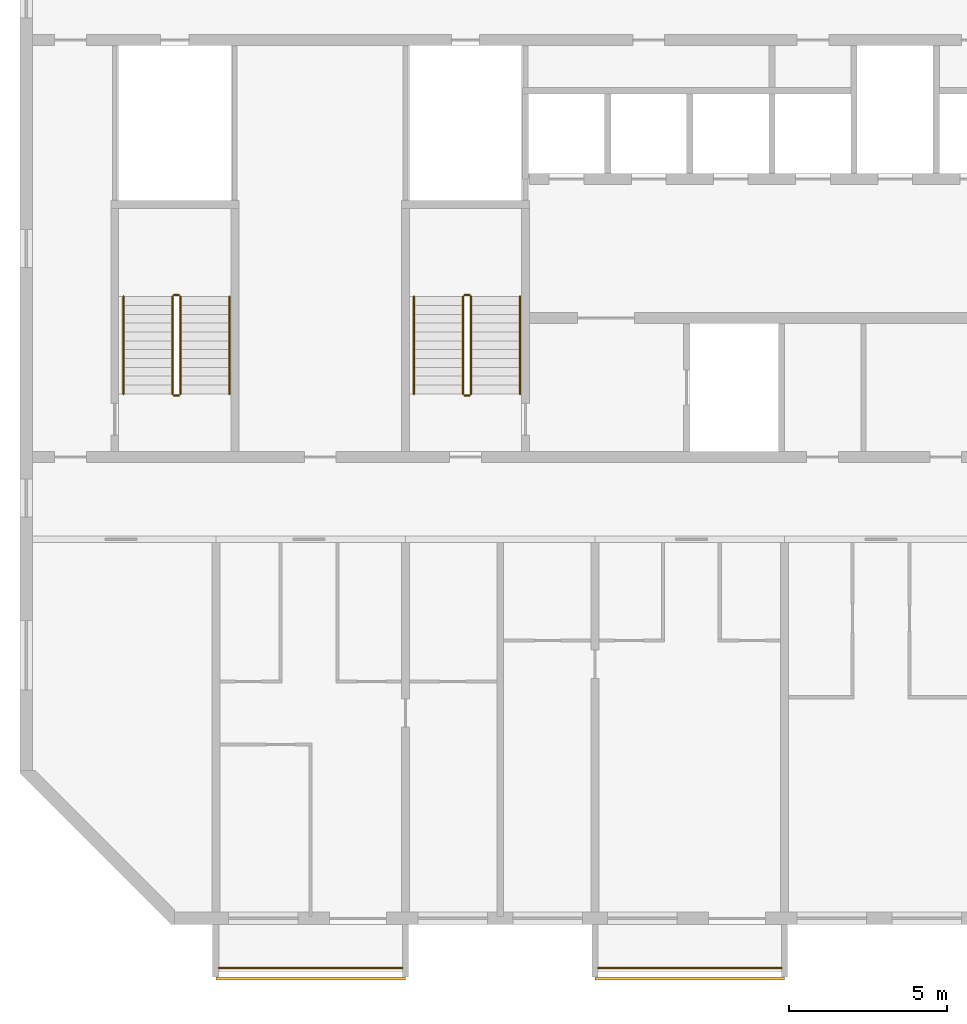
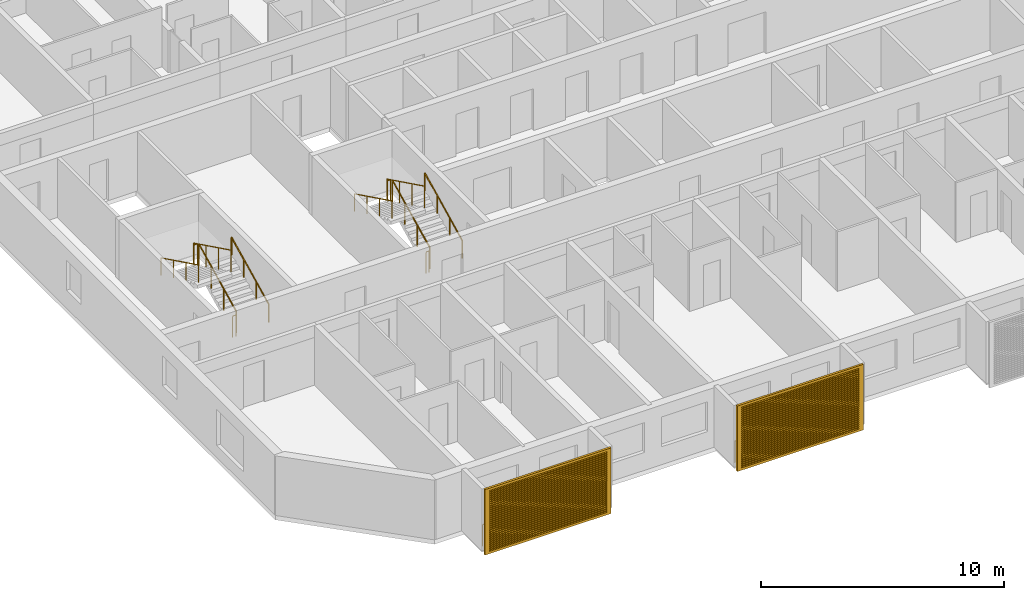
# One storey, part 15 of 20: 14 railings, 2 shading devices.
"""IFC4 building model written with IfcOpenShell, lengths in metres."""

from ifc_helpers import new_model, si_unit, direction, frame, origin, origin_2d, place, context, subcontext, project, spatial, polyline, circle, outline, extrude, source, transform, mapped, material, material_profile, profile_set, type_object, element, save


model = new_model("IFC4")

# Units and contexts
model_context = context("Model", 3, precision=1e-05, world=origin(), true_north=direction((0.0, 1.0)))
body_context = subcontext(model_context, "Body", "Model", "MODEL_VIEW")
ifc_project = project(units=[si_unit("LENGTHUNIT", "METRE"), si_unit("AREAUNIT", "SQUARE_METRE"), si_unit("VOLUMEUNIT", "CUBIC_METRE"), si_unit("PLANEANGLEUNIT", "RADIAN"), si_unit("MASSUNIT", "GRAM", prefix="KILO")], contexts=[model_context])

# Site, building, storey
site_placement = place(None, origin())
site = spatial("IfcSite", under=ifc_project, at=site_placement, CompositionType="ELEMENT")
building_placement = place(site_placement, origin())
building = spatial("IfcBuilding", under=site, at=building_placement, Name="Poui Terraces", CompositionType="ELEMENT")
storey_placement = place(building_placement, frame((0.0, 0.0, 257.699951171875)))
storey = spatial("IfcBuildingStorey", under=building, at=storey_placement, Name="L72", CompositionType="ELEMENT", Elevation=257.699951171875)

# Railings
ifc_material_1 = material(Name="Painted steel fretwork", Category="steel")
railing_type_1 = type_object("IfcRailingType", Name="BALCONY GUARD 1100", PredefinedType="GUARDRAIL", material=ifc_material_1)
for number, where, name in (
    (1, (24.10009765625, -1.570068359375, 0.0), "BALCONY GUARD"),
    (2, (36.10009765625, -1.570068359375, 0.0), "BALCONY GUARD"),
):
    element("IfcRailing", number, at=place(storey_placement, frame(where)), inside=storey, type_object=railing_type_1, Name=name, PredefinedType="GUARDRAIL", context=body_context, shape_type="SweptSolid", body=[
        extrude(circle(Radius=0.02392578125, at=origin_2d()), frame((0.0, 0.0, 1.076171875), z_axis=(1.0, 0.0, 0.0), x_axis=(0.0, 1.0, 0.0)), (0.0, 0.0, 1.0), 5.7998046875),
        extrude(circle(Radius=0.02099609375, at=origin_2d()), origin(), (0.0, 0.0, 1.0), 1.052001953125),
        extrude(circle(Radius=0.02099609375, at=origin_2d()), frame((0.966552734375, 0.0, 0.0)), (0.0, 0.0, 1.0), 1.052001953125),
        extrude(circle(Radius=0.02099609375, at=origin_2d()), frame((1.933349609375, 0.0, 0.0)), (0.0, 0.0, 1.0), 1.052001953125),
        extrude(circle(Radius=0.02099609375, at=origin_2d()), frame((2.89990234375, 0.0, 0.0)), (0.0, 0.0, 1.0), 1.052001953125),
        extrude(circle(Radius=0.02099609375, at=origin_2d()), frame((3.866455078125, 0.0, 0.0)), (0.0, 0.0, 1.0), 1.052001953125),
        extrude(circle(Radius=0.02099609375, at=origin_2d()), frame((4.833251953125, 0.0, 0.0)), (0.0, 0.0, 1.0), 1.052001953125),
        extrude(circle(Radius=0.02099609375, at=origin_2d()), frame((5.7998046875, 0.0, 0.0)), (0.0, 0.0, 1.0), 1.052001953125),
    ])
ifc_material_2 = material(Name="Galvanised steel balustrade", Category="steel")
railing_type_2 = type_object("IfcRailingType", Name="STAIR GUARD 1100", PredefinedType="GUARDRAIL", material=ifc_material_2)
railing_1_placement = place(storey_placement, frame((32.074951171875, 16.60009765625, 0.137451171875)))
element("IfcRailing", 3, at=railing_1_placement, inside=storey, type_object=railing_type_2, Name="L72 ST-CW stair guard 1", PredefinedType="GUARDRAIL", context=body_context, shape_type="SweptSolid", body=[
    extrude(circle(Radius=0.02392578125, at=origin_2d()), frame((0.0, 0.0, 1.076171875), z_axis=(0.0, 0.897578036475, 0.440855609512), x_axis=(-1.0, 0.0, 0.0)), (0.0, 0.0, 1.0), 3.43115234375),
    extrude(circle(Radius=0.02099609375, at=origin_2d()), origin(), (0.0, 0.0, 1.0), 1.052001953125),
    extrude(circle(Radius=0.02099609375, at=origin_2d()), frame((0.0, 1.026611328125, 0.504150390625)), (0.0, 0.0, 1.0), 1.052001953125),
    extrude(circle(Radius=0.02099609375, at=origin_2d()), frame((0.0, 2.05322265625, 1.008544921875)), (0.0, 0.0, 1.0), 1.052001953125),
    extrude(circle(Radius=0.02099609375, at=origin_2d()), frame((0.0, 3.079833984375, 1.5126953125)), (0.0, 0.0, 1.0), 1.052001953125),
])
railing_2_placement = place(storey_placement, frame((32.02490234375, 19.72998046875, 1.650146484375)))
element("IfcRailing", 4, at=railing_2_placement, inside=storey, type_object=railing_type_2, Name="L72 ST-CW stair guard 2", PredefinedType="GUARDRAIL", context=body_context, shape_type="SweptSolid", body=[
    extrude(circle(Radius=0.02392578125, at=origin_2d()), frame((0.0, 0.0, 1.076171875), z_axis=(-1.0, 0.0, 0.0), x_axis=(0.0, -1.0, 0.0)), (0.0, 0.0, 1.0), 0.14990234375),
    extrude(circle(Radius=0.02099609375, at=origin_2d()), origin(), (0.0, 0.0, 1.0), 1.052001953125),
    extrude(circle(Radius=0.02099609375, at=origin_2d()), frame((-0.14990234375, 0.0, 0.0)), (0.0, 0.0, 1.0), 1.052001953125),
])
railing_3_placement = place(storey_placement, frame((31.824951171875, 19.679931640625, 1.78759765625)))
element("IfcRailing", 5, at=railing_3_placement, inside=storey, type_object=railing_type_2, Name="L72 ST-CW stair guard 3", PredefinedType="GUARDRAIL", context=body_context, shape_type="SweptSolid", body=[
    extrude(circle(Radius=0.02392578125, at=origin_2d()), frame((0.0, 0.0, 1.076171875), z_axis=(0.0, -0.897606190399, 0.440798283751), x_axis=(1.0, 0.0, 0.0)), (0.0, 0.0, 1.0), 3.43115234375),
    extrude(circle(Radius=0.02099609375, at=origin_2d()), origin(), (0.0, 0.0, 1.0), 1.052001953125),
    extrude(circle(Radius=0.02099609375, at=origin_2d()), frame((0.0, -1.026611328125, 0.504150390625)), (0.0, 0.0, 1.0), 1.052001953125),
    extrude(circle(Radius=0.02099609375, at=origin_2d()), frame((0.0, -2.05322265625, 1.00830078125)), (0.0, 0.0, 1.0), 1.052001953125),
    extrude(circle(Radius=0.02099609375, at=origin_2d()), frame((0.0, -3.079833984375, 1.512451171875)), (0.0, 0.0, 1.0), 1.052001953125),
])
railing_4_placement = place(storey_placement, frame((32.02490234375, 16.550048828125, 0.0)))
element("IfcRailing", 6, at=railing_4_placement, inside=storey, type_object=railing_type_2, Name="L72 ST-CW stair guard 4", PredefinedType="GUARDRAIL", context=body_context, shape_type="SweptSolid", body=[
    extrude(circle(Radius=0.02392578125, at=origin_2d()), frame((0.0, 0.0, 1.076171875), z_axis=(-1.0, 0.0, 0.0), x_axis=(0.0, -1.0, 0.0)), (0.0, 0.0, 1.0), 0.14990234375),
    extrude(circle(Radius=0.02099609375, at=origin_2d()), origin(), (0.0, 0.0, 1.0), 1.052001953125),
    extrude(circle(Radius=0.02099609375, at=origin_2d()), frame((-0.14990234375, 0.0, 0.0)), (0.0, 0.0, 1.0), 1.052001953125),
])
railing_5_placement = place(storey_placement, frame((22.875, 16.60009765625, 0.137451171875)))
element("IfcRailing", 7, at=railing_5_placement, inside=storey, type_object=railing_type_2, Name="L72 ST-W stair guard 1", PredefinedType="GUARDRAIL", context=body_context, shape_type="SweptSolid", body=[
    extrude(circle(Radius=0.02392578125, at=origin_2d()), frame((0.0, 0.0, 1.076171875), z_axis=(0.0, 0.897578036475, 0.440855609512), x_axis=(-1.0, 0.0, 0.0)), (0.0, 0.0, 1.0), 3.43115234375),
    extrude(circle(Radius=0.02099609375, at=origin_2d()), origin(), (0.0, 0.0, 1.0), 1.052001953125),
    extrude(circle(Radius=0.02099609375, at=origin_2d()), frame((0.0, 1.026611328125, 0.504150390625)), (0.0, 0.0, 1.0), 1.052001953125),
    extrude(circle(Radius=0.02099609375, at=origin_2d()), frame((0.0, 2.05322265625, 1.008544921875)), (0.0, 0.0, 1.0), 1.052001953125),
    extrude(circle(Radius=0.02099609375, at=origin_2d()), frame((0.0, 3.079833984375, 1.5126953125)), (0.0, 0.0, 1.0), 1.052001953125),
])
railing_6_placement = place(storey_placement, frame((22.824951171875, 19.72998046875, 1.650146484375)))
element("IfcRailing", 8, at=railing_6_placement, inside=storey, type_object=railing_type_2, Name="L72 ST-W stair guard 2", PredefinedType="GUARDRAIL", context=body_context, shape_type="SweptSolid", body=[
    extrude(circle(Radius=0.02392578125, at=origin_2d()), frame((0.0, 0.0, 1.076171875), z_axis=(-1.0, 0.0, 0.0), x_axis=(0.0, -1.0, 0.0)), (0.0, 0.0, 1.0), 0.14990234375),
    extrude(circle(Radius=0.02099609375, at=origin_2d()), origin(), (0.0, 0.0, 1.0), 1.052001953125),
    extrude(circle(Radius=0.02099609375, at=origin_2d()), frame((-0.14990234375, 0.0, 0.0)), (0.0, 0.0, 1.0), 1.052001953125),
])
railing_7_placement = place(storey_placement, frame((22.625, 19.679931640625, 1.78759765625)))
element("IfcRailing", 9, at=railing_7_placement, inside=storey, type_object=railing_type_2, Name="L72 ST-W stair guard 3", PredefinedType="GUARDRAIL", context=body_context, shape_type="SweptSolid", body=[
    extrude(circle(Radius=0.02392578125, at=origin_2d()), frame((0.0, 0.0, 1.076171875), z_axis=(0.0, -0.897606190399, 0.440798283751), x_axis=(1.0, 0.0, 0.0)), (0.0, 0.0, 1.0), 3.43115234375),
    extrude(circle(Radius=0.02099609375, at=origin_2d()), origin(), (0.0, 0.0, 1.0), 1.052001953125),
    extrude(circle(Radius=0.02099609375, at=origin_2d()), frame((0.0, -1.026611328125, 0.504150390625)), (0.0, 0.0, 1.0), 1.052001953125),
    extrude(circle(Radius=0.02099609375, at=origin_2d()), frame((0.0, -2.05322265625, 1.00830078125)), (0.0, 0.0, 1.0), 1.052001953125),
    extrude(circle(Radius=0.02099609375, at=origin_2d()), frame((0.0, -3.079833984375, 1.512451171875)), (0.0, 0.0, 1.0), 1.052001953125),
])
railing_8_placement = place(storey_placement, frame((22.824951171875, 16.550048828125, 0.0)))
element("IfcRailing", 10, at=railing_8_placement, inside=storey, type_object=railing_type_2, Name="L72 ST-W stair guard 4", PredefinedType="GUARDRAIL", context=body_context, shape_type="SweptSolid", body=[
    extrude(circle(Radius=0.02392578125, at=origin_2d()), frame((0.0, 0.0, 1.076171875), z_axis=(-1.0, 0.0, 0.0), x_axis=(0.0, -1.0, 0.0)), (0.0, 0.0, 1.0), 0.14990234375),
    extrude(circle(Radius=0.02099609375, at=origin_2d()), origin(), (0.0, 0.0, 1.0), 1.052001953125),
    extrude(circle(Radius=0.02099609375, at=origin_2d()), frame((-0.14990234375, 0.0, 0.0)), (0.0, 0.0, 1.0), 1.052001953125),
])
ifc_material_3 = material(Name="Stainless steel handrail", Category="steel")
railing_type_3 = type_object("IfcRailingType", Name="STAIR HANDRAIL 900", PredefinedType="HANDRAIL", material=ifc_material_3)
railing_9_placement = place(storey_placement, frame((33.625, 16.60009765625, 0.137451171875)))
element("IfcRailing", 11, at=railing_9_placement, inside=storey, type_object=railing_type_3, Name="L72 ST-CW stair handrail 1", PredefinedType="HANDRAIL", context=body_context, shape_type="SweptSolid", body=[
    extrude(circle(Radius=0.02392578125, at=origin_2d()), frame((0.0, 0.0, 0.8759765625), z_axis=(0.0, 0.897578036475, 0.440855609512), x_axis=(-1.0, 0.0, 0.0)), (0.0, 0.0, 1.0), 3.43115234375),
    extrude(circle(Radius=0.02099609375, at=origin_2d()), origin(), (0.0, 0.0, 1.0), 0.851806640625),
    extrude(circle(Radius=0.02099609375, at=origin_2d()), frame((0.0, 1.026611328125, 0.504150390625)), (0.0, 0.0, 1.0), 0.851806640625),
    extrude(circle(Radius=0.02099609375, at=origin_2d()), frame((0.0, 2.05322265625, 1.008544921875)), (0.0, 0.0, 1.0), 0.851806640625),
    extrude(circle(Radius=0.02099609375, at=origin_2d()), frame((0.0, 3.079833984375, 1.5126953125)), (0.0, 0.0, 1.0), 0.851806640625),
])
railing_10_placement = place(storey_placement, frame((30.27490234375, 19.679931640625, 1.78759765625)))
element("IfcRailing", 12, at=railing_10_placement, inside=storey, type_object=railing_type_3, Name="L72 ST-CW stair handrail 2", PredefinedType="HANDRAIL", context=body_context, shape_type="SweptSolid", body=[
    extrude(circle(Radius=0.02392578125, at=origin_2d()), frame((0.0, 0.0, 0.8759765625), z_axis=(0.0, -0.897606190399, 0.440798283751), x_axis=(1.0, 0.0, 0.0)), (0.0, 0.0, 1.0), 3.43115234375),
    extrude(circle(Radius=0.02099609375, at=origin_2d()), origin(), (0.0, 0.0, 1.0), 0.851806640625),
    extrude(circle(Radius=0.02099609375, at=origin_2d()), frame((0.0, -1.026611328125, 0.504150390625)), (0.0, 0.0, 1.0), 0.851806640625),
    extrude(circle(Radius=0.02099609375, at=origin_2d()), frame((0.0, -2.05322265625, 1.00830078125)), (0.0, 0.0, 1.0), 0.851806640625),
    extrude(circle(Radius=0.02099609375, at=origin_2d()), frame((0.0, -3.079833984375, 1.512451171875)), (0.0, 0.0, 1.0), 0.851806640625),
])
railing_11_placement = place(storey_placement, frame((24.425048828125, 16.60009765625, 0.137451171875)))
element("IfcRailing", 13, at=railing_11_placement, inside=storey, type_object=railing_type_3, Name="L72 ST-W stair handrail 1", PredefinedType="HANDRAIL", context=body_context, shape_type="SweptSolid", body=[
    extrude(circle(Radius=0.02392578125, at=origin_2d()), frame((0.0, 0.0, 0.8759765625), z_axis=(0.0, 0.897578036475, 0.440855609512), x_axis=(-1.0, 0.0, 0.0)), (0.0, 0.0, 1.0), 3.43115234375),
    extrude(circle(Radius=0.02099609375, at=origin_2d()), origin(), (0.0, 0.0, 1.0), 0.851806640625),
    extrude(circle(Radius=0.02099609375, at=origin_2d()), frame((0.0, 1.026611328125, 0.504150390625)), (0.0, 0.0, 1.0), 0.851806640625),
    extrude(circle(Radius=0.02099609375, at=origin_2d()), frame((0.0, 2.05322265625, 1.008544921875)), (0.0, 0.0, 1.0), 0.851806640625),
    extrude(circle(Radius=0.02099609375, at=origin_2d()), frame((0.0, 3.079833984375, 1.5126953125)), (0.0, 0.0, 1.0), 0.851806640625),
])
railing_12_placement = place(storey_placement, frame((21.074951171875, 19.679931640625, 1.78759765625)))
element("IfcRailing", 14, at=railing_12_placement, inside=storey, type_object=railing_type_3, Name="L72 ST-W stair handrail 2", PredefinedType="HANDRAIL", context=body_context, shape_type="SweptSolid", body=[
    extrude(circle(Radius=0.02392578125, at=origin_2d()), frame((0.0, 0.0, 0.8759765625), z_axis=(0.0, -0.897606190399, 0.440798283751), x_axis=(1.0, 0.0, 0.0)), (0.0, 0.0, 1.0), 3.43115234375),
    extrude(circle(Radius=0.02099609375, at=origin_2d()), origin(), (0.0, 0.0, 1.0), 0.851806640625),
    extrude(circle(Radius=0.02099609375, at=origin_2d()), frame((0.0, -1.026611328125, 0.504150390625)), (0.0, 0.0, 1.0), 0.851806640625),
    extrude(circle(Radius=0.02099609375, at=origin_2d()), frame((0.0, -2.05322265625, 1.00830078125)), (0.0, 0.0, 1.0), 0.851806640625),
    extrude(circle(Radius=0.02099609375, at=origin_2d()), frame((0.0, -3.079833984375, 1.512451171875)), (0.0, 0.0, 1.0), 0.851806640625),
])

# Shading devices
ifc_material_4 = material(Name="Aluminium louvre", Category="aluminium")
ifc_material_profile = material_profile(ifc_material_4, outline(polyline([(-3.0, -1.64990234375), (3.0, -1.64990234375), (3.0, 1.64990234375), (-3.0, 1.64990234375), (-3.0, -1.64990234375)]), holes=[polyline([(-2.800048828125, -1.530029296875), (2.800048828125, -1.530029296875), (2.800048828125, -1.469970703125), (-2.800048828125, -1.469970703125), (-2.800048828125, -1.530029296875)]), polyline([(-2.800048828125, -1.429931640625), (2.800048828125, -1.429931640625), (2.800048828125, -1.3701171875), (-2.800048828125, -1.3701171875), (-2.800048828125, -1.429931640625)]), polyline([(-2.800048828125, -1.330078125), (2.800048828125, -1.330078125), (2.800048828125, -1.27001953125), (-2.800048828125, -1.27001953125), (-2.800048828125, -1.330078125)]), polyline([(-2.800048828125, -1.22998046875), (2.800048828125, -1.22998046875), (2.800048828125, -1.169921875), (-2.800048828125, -1.169921875), (-2.800048828125, -1.22998046875)]), polyline([(-2.800048828125, -1.1298828125), (2.800048828125, -1.1298828125), (2.800048828125, -1.070068359375), (-2.800048828125, -1.070068359375), (-2.800048828125, -1.1298828125)]), polyline([(-2.800048828125, -1.030029296875), (2.800048828125, -1.030029296875), (2.800048828125, -0.969970703125), (-2.800048828125, -0.969970703125), (-2.800048828125, -1.030029296875)]), polyline([(-2.800048828125, -0.929931640625), (2.800048828125, -0.929931640625), (2.800048828125, -0.8701171875), (-2.800048828125, -0.8701171875), (-2.800048828125, -0.929931640625)]), polyline([(-2.800048828125, -0.830078125), (2.800048828125, -0.830078125), (2.800048828125, -0.77001953125), (-2.800048828125, -0.77001953125), (-2.800048828125, -0.830078125)]), polyline([(-2.800048828125, -0.72998046875), (2.800048828125, -0.72998046875), (2.800048828125, -0.669921875), (-2.800048828125, -0.669921875), (-2.800048828125, -0.72998046875)]), polyline([(-2.800048828125, -0.6298828125), (2.800048828125, -0.6298828125), (2.800048828125, -0.570068359375), (-2.800048828125, -0.570068359375), (-2.800048828125, -0.6298828125)]), polyline([(-2.800048828125, -0.530029296875), (2.800048828125, -0.530029296875), (2.800048828125, -0.469970703125), (-2.800048828125, -0.469970703125), (-2.800048828125, -0.530029296875)]), polyline([(-2.800048828125, -0.429931640625), (2.800048828125, -0.429931640625), (2.800048828125, -0.3701171875), (-2.800048828125, -0.3701171875), (-2.800048828125, -0.429931640625)]), polyline([(-2.800048828125, -0.330078125), (2.800048828125, -0.330078125), (2.800048828125, -0.27001953125), (-2.800048828125, -0.27001953125), (-2.800048828125, -0.330078125)]), polyline([(-2.800048828125, -0.22998046875), (2.800048828125, -0.22998046875), (2.800048828125, -0.169921875), (-2.800048828125, -0.169921875), (-2.800048828125, -0.22998046875)]), polyline([(-2.800048828125, -0.1298828125), (2.800048828125, -0.1298828125), (2.800048828125, -0.070068359375), (-2.800048828125, -0.070068359375), (-2.800048828125, -0.1298828125)]), polyline([(-2.800048828125, -0.030029296875), (2.800048828125, -0.030029296875), (2.800048828125, 0.030029296875), (-2.800048828125, 0.030029296875), (-2.800048828125, -0.030029296875)]), polyline([(-2.800048828125, 0.070068359375), (2.800048828125, 0.070068359375), (2.800048828125, 0.1298828125), (-2.800048828125, 0.1298828125), (-2.800048828125, 0.070068359375)]), polyline([(-2.800048828125, 0.169921875), (2.800048828125, 0.169921875), (2.800048828125, 0.22998046875), (-2.800048828125, 0.22998046875), (-2.800048828125, 0.169921875)]), polyline([(-2.800048828125, 0.27001953125), (2.800048828125, 0.27001953125), (2.800048828125, 0.330078125), (-2.800048828125, 0.330078125), (-2.800048828125, 0.27001953125)]), polyline([(-2.800048828125, 0.3701171875), (2.800048828125, 0.3701171875), (2.800048828125, 0.429931640625), (-2.800048828125, 0.429931640625), (-2.800048828125, 0.3701171875)]), polyline([(-2.800048828125, 0.469970703125), (2.800048828125, 0.469970703125), (2.800048828125, 0.530029296875), (-2.800048828125, 0.530029296875), (-2.800048828125, 0.469970703125)]), polyline([(-2.800048828125, 0.570068359375), (2.800048828125, 0.570068359375), (2.800048828125, 0.6298828125), (-2.800048828125, 0.6298828125), (-2.800048828125, 0.570068359375)]), polyline([(-2.800048828125, 0.669921875), (2.800048828125, 0.669921875), (2.800048828125, 0.72998046875), (-2.800048828125, 0.72998046875), (-2.800048828125, 0.669921875)]), polyline([(-2.800048828125, 0.77001953125), (2.800048828125, 0.77001953125), (2.800048828125, 0.830078125), (-2.800048828125, 0.830078125), (-2.800048828125, 0.77001953125)]), polyline([(-2.800048828125, 0.8701171875), (2.800048828125, 0.8701171875), (2.800048828125, 0.929931640625), (-2.800048828125, 0.929931640625), (-2.800048828125, 0.8701171875)]), polyline([(-2.800048828125, 0.969970703125), (2.800048828125, 0.969970703125), (2.800048828125, 1.030029296875), (-2.800048828125, 1.030029296875), (-2.800048828125, 0.969970703125)]), polyline([(-2.800048828125, 1.070068359375), (2.800048828125, 1.070068359375), (2.800048828125, 1.1298828125), (-2.800048828125, 1.1298828125), (-2.800048828125, 1.070068359375)]), polyline([(-2.800048828125, 1.169921875), (2.800048828125, 1.169921875), (2.800048828125, 1.22998046875), (-2.800048828125, 1.22998046875), (-2.800048828125, 1.169921875)]), polyline([(-2.800048828125, 1.27001953125), (2.800048828125, 1.27001953125), (2.800048828125, 1.330078125), (-2.800048828125, 1.330078125), (-2.800048828125, 1.27001953125)]), polyline([(-2.800048828125, 1.3701171875), (2.800048828125, 1.3701171875), (2.800048828125, 1.429931640625), (-2.800048828125, 1.429931640625), (-2.800048828125, 1.3701171875)]), polyline([(-2.800048828125, 1.469970703125), (2.800048828125, 1.469970703125), (2.800048828125, 1.530029296875), (-2.800048828125, 1.530029296875), (-2.800048828125, 1.469970703125)])]), Name="JALOUSIE LOUVRE SHUTTER 6000X3300")
ifc_profile_set = profile_set([ifc_material_profile], Name="Aluminium louvre")
shading_device_type = type_object("IfcShadingDeviceType", Name="JALOUSIE LOUVRE SHUTTER 6000X3300", PredefinedType="JALOUSIE", material=ifc_profile_set)
shared_shape = source(origin(), body_context, "Body", "SweptSolid", [
    extrude(outline(polyline([(-3.0, -1.64990234375), (3.0, -1.64990234375), (3.0, 1.64990234375), (-3.0, 1.64990234375), (-3.0, -1.64990234375)]), holes=[polyline([(-2.800048828125, -1.530029296875), (2.800048828125, -1.530029296875), (2.800048828125, -1.469970703125), (-2.800048828125, -1.469970703125), (-2.800048828125, -1.530029296875)]), polyline([(-2.800048828125, -1.429931640625), (2.800048828125, -1.429931640625), (2.800048828125, -1.3701171875), (-2.800048828125, -1.3701171875), (-2.800048828125, -1.429931640625)]), polyline([(-2.800048828125, -1.330078125), (2.800048828125, -1.330078125), (2.800048828125, -1.27001953125), (-2.800048828125, -1.27001953125), (-2.800048828125, -1.330078125)]), polyline([(-2.800048828125, -1.22998046875), (2.800048828125, -1.22998046875), (2.800048828125, -1.169921875), (-2.800048828125, -1.169921875), (-2.800048828125, -1.22998046875)]), polyline([(-2.800048828125, -1.1298828125), (2.800048828125, -1.1298828125), (2.800048828125, -1.070068359375), (-2.800048828125, -1.070068359375), (-2.800048828125, -1.1298828125)]), polyline([(-2.800048828125, -1.030029296875), (2.800048828125, -1.030029296875), (2.800048828125, -0.969970703125), (-2.800048828125, -0.969970703125), (-2.800048828125, -1.030029296875)]), polyline([(-2.800048828125, -0.929931640625), (2.800048828125, -0.929931640625), (2.800048828125, -0.8701171875), (-2.800048828125, -0.8701171875), (-2.800048828125, -0.929931640625)]), polyline([(-2.800048828125, -0.830078125), (2.800048828125, -0.830078125), (2.800048828125, -0.77001953125), (-2.800048828125, -0.77001953125), (-2.800048828125, -0.830078125)]), polyline([(-2.800048828125, -0.72998046875), (2.800048828125, -0.72998046875), (2.800048828125, -0.669921875), (-2.800048828125, -0.669921875), (-2.800048828125, -0.72998046875)]), polyline([(-2.800048828125, -0.6298828125), (2.800048828125, -0.6298828125), (2.800048828125, -0.570068359375), (-2.800048828125, -0.570068359375), (-2.800048828125, -0.6298828125)]), polyline([(-2.800048828125, -0.530029296875), (2.800048828125, -0.530029296875), (2.800048828125, -0.469970703125), (-2.800048828125, -0.469970703125), (-2.800048828125, -0.530029296875)]), polyline([(-2.800048828125, -0.429931640625), (2.800048828125, -0.429931640625), (2.800048828125, -0.3701171875), (-2.800048828125, -0.3701171875), (-2.800048828125, -0.429931640625)]), polyline([(-2.800048828125, -0.330078125), (2.800048828125, -0.330078125), (2.800048828125, -0.27001953125), (-2.800048828125, -0.27001953125), (-2.800048828125, -0.330078125)]), polyline([(-2.800048828125, -0.22998046875), (2.800048828125, -0.22998046875), (2.800048828125, -0.169921875), (-2.800048828125, -0.169921875), (-2.800048828125, -0.22998046875)]), polyline([(-2.800048828125, -0.1298828125), (2.800048828125, -0.1298828125), (2.800048828125, -0.070068359375), (-2.800048828125, -0.070068359375), (-2.800048828125, -0.1298828125)]), polyline([(-2.800048828125, -0.030029296875), (2.800048828125, -0.030029296875), (2.800048828125, 0.030029296875), (-2.800048828125, 0.030029296875), (-2.800048828125, -0.030029296875)]), polyline([(-2.800048828125, 0.070068359375), (2.800048828125, 0.070068359375), (2.800048828125, 0.1298828125), (-2.800048828125, 0.1298828125), (-2.800048828125, 0.070068359375)]), polyline([(-2.800048828125, 0.169921875), (2.800048828125, 0.169921875), (2.800048828125, 0.22998046875), (-2.800048828125, 0.22998046875), (-2.800048828125, 0.169921875)]), polyline([(-2.800048828125, 0.27001953125), (2.800048828125, 0.27001953125), (2.800048828125, 0.330078125), (-2.800048828125, 0.330078125), (-2.800048828125, 0.27001953125)]), polyline([(-2.800048828125, 0.3701171875), (2.800048828125, 0.3701171875), (2.800048828125, 0.429931640625), (-2.800048828125, 0.429931640625), (-2.800048828125, 0.3701171875)]), polyline([(-2.800048828125, 0.469970703125), (2.800048828125, 0.469970703125), (2.800048828125, 0.530029296875), (-2.800048828125, 0.530029296875), (-2.800048828125, 0.469970703125)]), polyline([(-2.800048828125, 0.570068359375), (2.800048828125, 0.570068359375), (2.800048828125, 0.6298828125), (-2.800048828125, 0.6298828125), (-2.800048828125, 0.570068359375)]), polyline([(-2.800048828125, 0.669921875), (2.800048828125, 0.669921875), (2.800048828125, 0.72998046875), (-2.800048828125, 0.72998046875), (-2.800048828125, 0.669921875)]), polyline([(-2.800048828125, 0.77001953125), (2.800048828125, 0.77001953125), (2.800048828125, 0.830078125), (-2.800048828125, 0.830078125), (-2.800048828125, 0.77001953125)]), polyline([(-2.800048828125, 0.8701171875), (2.800048828125, 0.8701171875), (2.800048828125, 0.929931640625), (-2.800048828125, 0.929931640625), (-2.800048828125, 0.8701171875)]), polyline([(-2.800048828125, 0.969970703125), (2.800048828125, 0.969970703125), (2.800048828125, 1.030029296875), (-2.800048828125, 1.030029296875), (-2.800048828125, 0.969970703125)]), polyline([(-2.800048828125, 1.070068359375), (2.800048828125, 1.070068359375), (2.800048828125, 1.1298828125), (-2.800048828125, 1.1298828125), (-2.800048828125, 1.070068359375)]), polyline([(-2.800048828125, 1.169921875), (2.800048828125, 1.169921875), (2.800048828125, 1.22998046875), (-2.800048828125, 1.22998046875), (-2.800048828125, 1.169921875)]), polyline([(-2.800048828125, 1.27001953125), (2.800048828125, 1.27001953125), (2.800048828125, 1.330078125), (-2.800048828125, 1.330078125), (-2.800048828125, 1.27001953125)]), polyline([(-2.800048828125, 1.3701171875), (2.800048828125, 1.3701171875), (2.800048828125, 1.429931640625), (-2.800048828125, 1.429931640625), (-2.800048828125, 1.3701171875)]), polyline([(-2.800048828125, 1.469970703125), (2.800048828125, 1.469970703125), (2.800048828125, 1.530029296875), (-2.800048828125, 1.530029296875), (-2.800048828125, 1.469970703125)])]), origin(), (0.0, 0.0, 1.0), 0.099853515625),
])
for number, where, z_axis, x_axis, name in (
    (15, (27.0, -1.85009765625, 1.449951171875), (0.0, -1.0, 0.0), (1.0, 0.0, 0.0), "JALOUSIE LOUVRE SHUTTER"),
    (16, (39.0, -1.85009765625, 1.449951171875), (0.0, -1.0, 0.0), (1.0, 0.0, 0.0), "JALOUSIE LOUVRE SHUTTER"),
):
    element("IfcShadingDevice", number, at=place(storey_placement, frame(where, z_axis=z_axis, x_axis=x_axis)), inside=storey, type_object=shading_device_type, Name=name, PredefinedType="JALOUSIE", context=body_context, shape_type="MappedRepresentation", body=[
        mapped(shared_shape, transform((0.0, 0.0, 0.0))),
    ])

save(model, "model.ifc")
